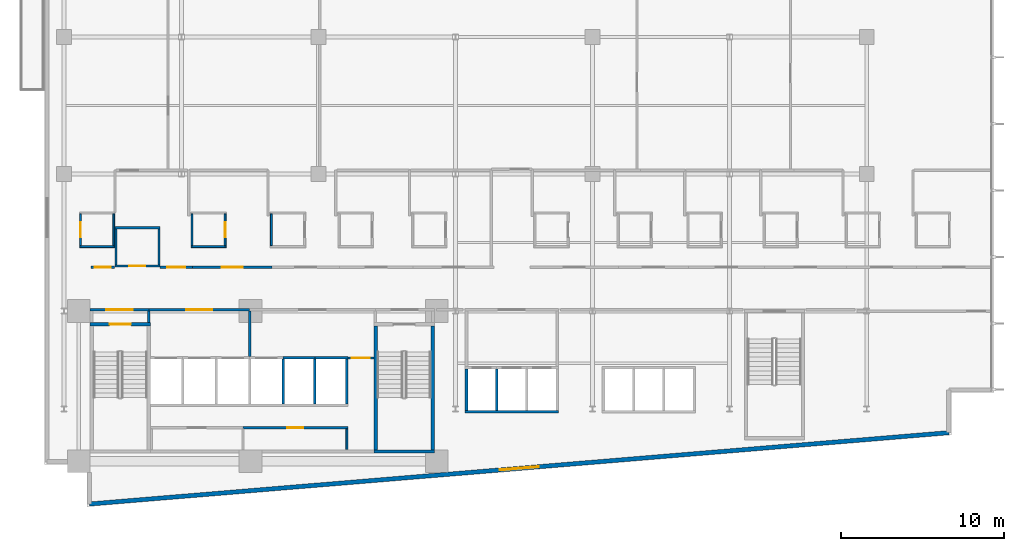
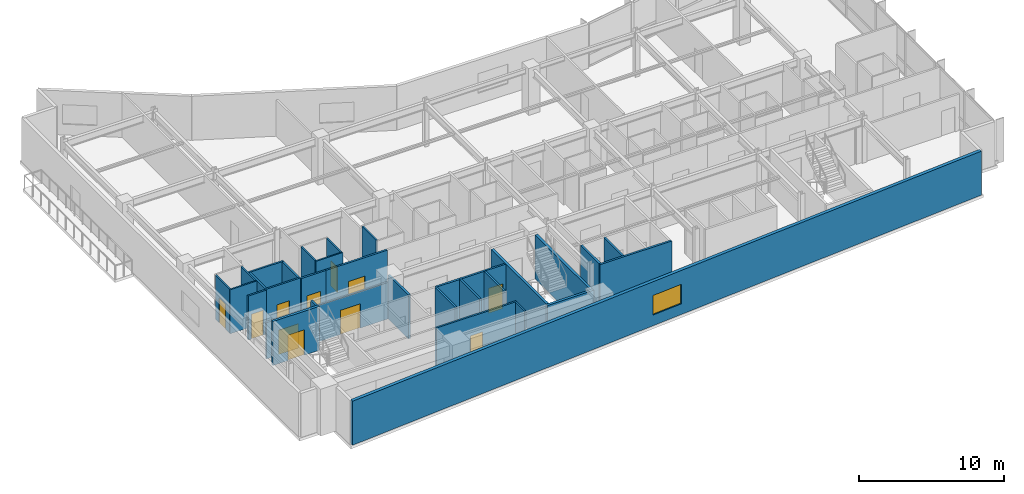
# One storey, part 12 of 21: 34 walls, 11 doors, 1 window, 12 openings.
"""IFC4 building model written with IfcOpenShell, lengths in metres."""

from ifc_helpers import new_model, si_unit, direction, frame, frame_2d, origin, place, context, subcontext, project, spatial, rectangle, extrude, material, layer, layer_set, type_object, element, fill, save


model = new_model("IFC4")

# Units and contexts
model_context = context("Model", 3, precision=1e-05, world=origin(), true_north=direction((0.0, 1.0)))
body_context = subcontext(model_context, "Body", "Model", "MODEL_VIEW")
ifc_project = project(units=[si_unit("LENGTHUNIT", "METRE"), si_unit("AREAUNIT", "SQUARE_METRE"), si_unit("VOLUMEUNIT", "CUBIC_METRE"), si_unit("PLANEANGLEUNIT", "RADIAN"), si_unit("MASSUNIT", "GRAM", prefix="KILO")], contexts=[model_context])

# Site, building, storey
site_placement = place(None, origin())
site = spatial("IfcSite", under=ifc_project, at=site_placement, CompositionType="ELEMENT")
building_placement = place(site_placement, origin())
building = spatial("IfcBuilding", under=site, at=building_placement, Name="Varnakote Quay Hospital", CompositionType="ELEMENT")
storey_placement = place(building_placement, frame((0.0, 0.0, 34.35009765625)))
storey = spatial("IfcBuildingStorey", under=building, at=storey_placement, Name="L08", CompositionType="ELEMENT", Elevation=34.35009765625)

# Wall, opening, door
ifc_material_1 = material(Name="Fire-rated acoustic gypsum stud wall", Category="gypsum")
ifc_layer_1 = layer(ifc_material_1, 0.159912109375)
ifc_layer_set_1 = layer_set([ifc_layer_1], Name="Fire-rated acoustic gypsum stud wall")
wall_type_1 = type_object("IfcWallType", Name="WL-COMP-160", PredefinedType="PARTITIONING", material=ifc_layer_set_1)
wall_1_placement = place(storey_placement, frame((2.800048828125, 12.080078125, 0.0), z_axis=(0.0, 0.0, 1.0), x_axis=(1.0, 0.0, 0.0)))
wall_1 = element("IfcWall", 1, at=wall_1_placement, inside=storey, type_object=wall_type_1, Name="L08 West Stair Vestibule Smoke Wall", PredefinedType="PARTITIONING", context=body_context, shape_type="SweptSolid", body=[
    extrude(rectangle(XDim=3.599853515625, YDim=0.159912109375, at=frame_2d((1.7998046875, 0.0))), origin(), (0.0, 0.0, 1.0), 3.072998046875),
])
opening_1_placement = place(wall_1_placement, frame((1.0, 0.0, 0.0)))
opening_1 = element("IfcOpeningElement", 2, at=opening_1_placement, cuts=wall_1, Name="Opening D-ST1L-L08", PredefinedType="OPENING", context=body_context, shape_type="SweptSolid", body=[
    extrude(rectangle(XDim=1.60009765625, YDim=2.050048828125, at=frame_2d((0.800048828125, 1.02490234375))), frame((0.0, 0.08984375, 0.0), z_axis=(0.0, -1.0, 0.0), x_axis=(1.0, 0.0, 0.0)), (0.0, 0.0, 1.0), 0.179931640625),
])
ifc_material_2 = material(Name="Fire-rated double smoke lobby door")
door_type_1 = type_object("IfcDoorType", Name="DR-LOBBY-FD60S-1600x2150", OperationType="NOTDEFINED", PredefinedType="DOOR", material=ifc_material_2)
door_1_placement = place(opening_1_placement, origin())
door_1 = element("IfcDoor", 3, at=door_1_placement, inside=storey, type_object=door_type_1, Name="L08 West Stair Vestibule Smoke Door", OperationType="DOUBLE_DOOR_SINGLE_SWING", OverallHeight=2.050048828125, OverallWidth=1.60009765625, PredefinedType="DOOR", context=body_context, shape_type="SweptSolid", body=[
    extrude(rectangle(XDim=1.60009765625, YDim=2.050048828125, at=frame_2d((0.800048828125, 1.02490234375))), frame((0.0, 0.02490234375, 0.0), z_axis=(0.0, -1.0, 0.0), x_axis=(1.0, 0.0, 0.0)), (0.0, 0.0, 1.0), 0.050048828125),
])
fill(opening_1, door_1)

# Wall
wall_2_placement = place(storey_placement, frame((6.39990234375, 11.300048828125, 0.0), z_axis=(0.0, 0.0, 1.0), x_axis=(0.0, 1.0, 0.0)))
element("IfcWall", 4, at=wall_2_placement, inside=storey, type_object=wall_type_1, Name="L08 Firefighting Lobby West Wall", PredefinedType="PARTITIONING", context=body_context, shape_type="SweptSolid", body=[
    extrude(rectangle(XDim=0.699951171875, YDim=0.159912109375, at=frame_2d((0.35009765625, 0.0))), origin(), (0.0, 0.0, 1.0), 3.7099609375),
])

# Wall, opening, door
wall_3_placement = place(storey_placement, frame((6.39990234375, 12.080078125, 0.0), z_axis=(0.0, 0.0, 1.0), x_axis=(1.0, 0.0, 0.0)))
wall_3 = element("IfcWall", 5, at=wall_3_placement, inside=storey, type_object=wall_type_1, Name="L08 Firefighting Lift Lobby Compartment Wall", PredefinedType="PARTITIONING", context=body_context, shape_type="SweptSolid", body=[
    extrude(rectangle(XDim=6.18017578125, YDim=0.159912109375, at=frame_2d((3.090087890625, 0.0))), origin(), (0.0, 0.0, 1.0), 3.072998046875),
])
opening_2_placement = place(wall_3_placement, frame((2.2900390625, 0.0, 0.0)))
opening_2 = element("IfcOpeningElement", 6, at=opening_2_placement, cuts=wall_3, Name="Opening D-FFL-L08", PredefinedType="OPENING", context=body_context, shape_type="SweptSolid", body=[
    extrude(rectangle(XDim=1.60009765625, YDim=2.050048828125, at=frame_2d((0.800048828125, 1.02490234375))), frame((0.0, 0.08984375, 0.0), z_axis=(0.0, -1.0, 0.0), x_axis=(1.0, 0.0, 0.0)), (0.0, 0.0, 1.0), 0.179931640625),
])
door_2_placement = place(opening_2_placement, origin())
door_2 = element("IfcDoor", 7, at=door_2_placement, inside=storey, type_object=door_type_1, Name="L08 Firefighting Smoke Vestibule Door", OperationType="DOUBLE_DOOR_SINGLE_SWING", OverallHeight=2.050048828125, OverallWidth=1.60009765625, PredefinedType="DOOR", context=body_context, shape_type="SweptSolid", body=[
    extrude(rectangle(XDim=1.60009765625, YDim=2.050048828125, at=frame_2d((0.800048828125, 1.02490234375))), frame((0.0, 0.02490234375, 0.0), z_axis=(0.0, -1.0, 0.0), x_axis=(1.0, 0.0, 0.0)), (0.0, 0.0, 1.0), 0.050048828125),
])
fill(opening_2, door_2)

# Walls
wall_4_placement = place(storey_placement, frame((12.580078125, 9.2099609375, 0.0), z_axis=(0.0, 0.0, 1.0), x_axis=(0.0, 1.0, 0.0)))
element("IfcWall", 8, at=wall_4_placement, inside=storey, type_object=wall_type_1, Name="L08 Firefighting to Service Lobby Wall", PredefinedType="PARTITIONING", context=body_context, shape_type="SweptSolid", body=[
    extrude(rectangle(XDim=2.7900390625, YDim=0.159912109375, at=frame_2d((1.39501953125, 0.0))), origin(), (0.0, 0.0, 1.0), 3.7099609375),
])
ifc_material_3 = material(Name="Moisture-resistant bathroom partition", Category="gypsum")
ifc_layer_2 = layer(ifc_material_3, 0.114990234375)
ifc_layer_set_2 = layer_set([ifc_layer_2], Name="Moisture-resistant bathroom partition")
wall_type_2 = type_object("IfcWallType", Name="WL-ENS-115", PredefinedType="PARTITIONING", material=ifc_layer_set_2)
wall_5_placement = place(storey_placement, frame((2.155029296875, 15.952392578125, 0.0), z_axis=(0.0, 0.0, 1.0), x_axis=(1.0, 0.0, 0.0)))
element("IfcWall", 9, at=wall_5_placement, inside=storey, type_object=wall_type_2, Name="L08 Inpatient En-Suite Bathroom 01 S Wall", PredefinedType="PARTITIONING", context=body_context, shape_type="SweptSolid", body=[
    extrude(rectangle(XDim=2.14990234375, YDim=0.114990234375, at=frame_2d((1.074951171875, 0.0))), origin(), (0.0, 0.0, 1.0), 3.7099609375),
])

# Wall, opening, door
wall_6_placement = place(storey_placement, frame((2.21240234375, 16.010009765625, 0.0), z_axis=(0.0, 0.0, 1.0), x_axis=(0.0, 1.0, 0.0)))
wall_6 = element("IfcWall", 10, at=wall_6_placement, inside=storey, type_object=wall_type_2, Name="L08 Inpatient En-Suite Bathroom 01 W Wall", PredefinedType="PARTITIONING", context=body_context, shape_type="SweptSolid", body=[
    extrude(rectangle(XDim=1.949951171875, YDim=0.114990234375, at=frame_2d((0.97509765625, 0.0))), origin(), (0.0, 0.0, 1.0), 3.7099609375),
])
opening_3_placement = place(wall_6_placement, frame((0.514892578125, 0.0, 0.0)))
opening_3 = element("IfcOpeningElement", 11, at=opening_3_placement, cuts=wall_6, Name="Opening D-L08-ENS01", PredefinedType="OPENING", context=body_context, shape_type="SweptSolid", body=[
    extrude(rectangle(XDim=0.919921875, YDim=2.10009765625, at=frame_2d((0.4599609375, 1.050048828125))), frame((0.0, 0.0673828125, 0.0), z_axis=(0.0, -1.0, 0.0), x_axis=(1.0, 0.0, 0.0)), (0.0, 0.0, 1.0), 0.135009765625),
])
ifc_material_4 = material(Name="Moisture-sealed en-suite bathroom door")
door_type_2 = type_object("IfcDoorType", Name="DR-ENS-920x2100", OperationType="NOTDEFINED", PredefinedType="DOOR", material=ifc_material_4)
door_3_placement = place(opening_3_placement, origin())
door_3 = element("IfcDoor", 12, at=door_3_placement, inside=storey, type_object=door_type_2, Name="L08 Inpatient En-Suite Bathroom 01 Door", OperationType="SINGLE_SWING_LEFT", OverallHeight=2.10009765625, OverallWidth=0.919921875, PredefinedType="DOOR", context=body_context, shape_type="SweptSolid", body=[
    extrude(rectangle(XDim=0.919921875, YDim=2.10009765625, at=frame_2d((0.4599609375, 1.050048828125))), frame((0.0, 0.02490234375, 0.0), z_axis=(0.0, -1.0, 0.0), x_axis=(1.0, 0.0, 0.0)), (0.0, 0.0, 1.0), 0.050048828125),
])
fill(opening_3, door_3)

# Walls
wall_7_placement = place(storey_placement, frame((4.24755859375, 16.010009765625, 0.0), z_axis=(0.0, 0.0, 1.0), x_axis=(0.0, 1.0, 0.0)))
element("IfcWall", 13, at=wall_7_placement, inside=storey, type_object=wall_type_2, Name="L08 Inpatient En-Suite Bathroom 01 E Wall", PredefinedType="PARTITIONING", context=body_context, shape_type="SweptSolid", body=[
    extrude(rectangle(XDim=1.949951171875, YDim=0.114990234375, at=frame_2d((0.97509765625, 0.0))), origin(), (0.0, 0.0, 1.0), 3.7099609375),
])
wall_8_placement = place(storey_placement, frame((8.985107421875, 15.952392578125, 0.0), z_axis=(0.0, 0.0, 1.0), x_axis=(1.0, 0.0, 0.0)))
element("IfcWall", 14, at=wall_8_placement, inside=storey, type_object=wall_type_2, Name="L08 Inpatient En-Suite Bathroom 02 S Wall", PredefinedType="PARTITIONING", context=body_context, shape_type="SweptSolid", body=[
    extrude(rectangle(XDim=2.14990234375, YDim=0.114990234375, at=frame_2d((1.074951171875, 0.0))), origin(), (0.0, 0.0, 1.0), 3.7099609375),
])
wall_9_placement = place(storey_placement, frame((9.04248046875, 16.010009765625, 0.0), z_axis=(0.0, 0.0, 1.0), x_axis=(0.0, 1.0, 0.0)))
element("IfcWall", 15, at=wall_9_placement, inside=storey, type_object=wall_type_2, Name="L08 Inpatient En-Suite Bathroom 02 W Wall", PredefinedType="PARTITIONING", context=body_context, shape_type="SweptSolid", body=[
    extrude(rectangle(XDim=1.949951171875, YDim=0.114990234375, at=frame_2d((0.97509765625, 0.0))), origin(), (0.0, 0.0, 1.0), 3.7099609375),
])

# Wall, opening, door
wall_10_placement = place(storey_placement, frame((11.077392578125, 16.010009765625, 0.0), z_axis=(0.0, 0.0, 1.0), x_axis=(0.0, 1.0, 0.0)))
wall_10 = element("IfcWall", 16, at=wall_10_placement, inside=storey, type_object=wall_type_2, Name="L08 Inpatient En-Suite Bathroom 02 E Wall", PredefinedType="PARTITIONING", context=body_context, shape_type="SweptSolid", body=[
    extrude(rectangle(XDim=1.949951171875, YDim=0.114990234375, at=frame_2d((0.97509765625, 0.0))), origin(), (0.0, 0.0, 1.0), 3.7099609375),
])
opening_4_placement = place(wall_10_placement, frame((0.514892578125, 0.0, 0.0)))
opening_4 = element("IfcOpeningElement", 17, at=opening_4_placement, cuts=wall_10, Name="Opening D-L08-ENS02", PredefinedType="OPENING", context=body_context, shape_type="SweptSolid", body=[
    extrude(rectangle(XDim=0.919921875, YDim=2.10009765625, at=frame_2d((0.4599609375, 1.050048828125))), frame((0.0, 0.0673828125, 0.0), z_axis=(0.0, -1.0, 0.0), x_axis=(1.0, 0.0, 0.0)), (0.0, 0.0, 1.0), 0.135009765625),
])
door_4_placement = place(opening_4_placement, origin())
door_4 = element("IfcDoor", 18, at=door_4_placement, inside=storey, type_object=door_type_2, Name="L08 Inpatient En-Suite Bathroom 02 Door", OperationType="SINGLE_SWING_RIGHT", OverallHeight=2.10009765625, OverallWidth=0.919921875, PredefinedType="DOOR", context=body_context, shape_type="SweptSolid", body=[
    extrude(rectangle(XDim=0.919921875, YDim=2.10009765625, at=frame_2d((0.4599609375, 1.050048828125))), frame((0.0, 0.02490234375, 0.0), z_axis=(0.0, -1.0, 0.0), x_axis=(1.0, 0.0, 0.0)), (0.0, 0.0, 1.0), 0.050048828125),
])
fill(opening_4, door_4)

# Wall
wall_11_placement = place(storey_placement, frame((13.91259765625, 16.010009765625, 0.0), z_axis=(0.0, 0.0, 1.0), x_axis=(0.0, 1.0, 0.0)))
element("IfcWall", 19, at=wall_11_placement, inside=storey, type_object=wall_type_2, Name="L08 Inpatient En-Suite Bathroom 03 W Wall", PredefinedType="PARTITIONING", context=body_context, shape_type="SweptSolid", body=[
    extrude(rectangle(XDim=1.949951171875, YDim=0.114990234375, at=frame_2d((0.97509765625, 0.0))), origin(), (0.0, 0.0, 1.0), 3.7099609375),
])

# Wall, opening, window
ifc_material_5 = material(Name="Precast concrete N50 (f'c 50 MPa)", Category="concrete")
ifc_layer_3 = layer(ifc_material_5, 0.260009765625)
ifc_layer_set_3 = layer_set([ifc_layer_3], Name="Precast concrete N50 (f'c 50 MPa)")
wall_type_3 = type_object("IfcWallType", Name="WL-EXT-BRICK-260", PredefinedType="STANDARD", material=ifc_layer_set_3)
wall_12_placement = place(storey_placement, frame((2.760009765625, 0.173828125, 0.0), z_axis=(0.0, 0.0, 1.0), x_axis=(0.996571478456, 0.082736257641, 0.0)))
wall_12 = element("IfcWall", 20, at=wall_12_placement, inside=storey, type_object=wall_type_3, Name="L08 Brick-Faced Precast Exterior Wall", PredefinedType="STANDARD", context=body_context, shape_type="SweptSolid", body=[
    extrude(rectangle(XDim=52.861083984375, YDim=0.260009765625, at=frame_2d((26.4306640625, 0.0))), origin(), (0.0, 0.0, 1.0), 3.7099609375),
])
opening_5_placement = place(wall_12_placement, frame((25.230712890625, 0.0, 0.89990234375)))
opening_5 = element("IfcOpeningElement", 21, at=opening_5_placement, cuts=wall_12, Name="Opening WN-0046", PredefinedType="OPENING", context=body_context, shape_type="SweptSolid", body=[
    extrude(rectangle(XDim=2.39990234375, YDim=1.64990234375, at=frame_2d((1.199951171875, 0.824951171875))), frame((0.0, 0.139892578125, 0.0), z_axis=(0.0, -1.0, 0.0), x_axis=(1.0, 0.0, 0.0)), (0.0, 0.0, 1.0), 0.280029296875),
])
ifc_material_6 = material(Name="Double-glazed low-E solar glass", Category="glass")
window_type = type_object("IfcWindowType", Name="WIN-CLIN-2400x1650", PartitioningType="SINGLE_PANEL", PredefinedType="WINDOW", material=ifc_material_6)
window_placement = place(opening_5_placement, origin())
window = element("IfcWindow", 22, at=window_placement, inside=storey, type_object=window_type, Name="L08 Solar-Control Clinical Window", OverallHeight=1.64990234375, OverallWidth=2.39990234375, PartitioningType="SINGLE_PANEL", PredefinedType="WINDOW", context=body_context, shape_type="SweptSolid", body=[
    extrude(rectangle(XDim=2.39990234375, YDim=1.64990234375, at=frame_2d((1.199951171875, 0.824951171875))), frame((0.0, 0.030029296875, 0.0), z_axis=(0.0, -1.0, 0.0), x_axis=(1.0, 0.0, 0.0)), (0.0, 0.0, 1.0), 0.06005859375),
])
fill(opening_5, window)

# Walls
ifc_material_7 = material(Name="Concrete N50 (f'c 50 MPa)", Category="concrete")
ifc_layer_4 = layer(ifc_material_7, 0.14990234375)
ifc_layer_set_4 = layer_set([ifc_layer_4], Name="Concrete N50 (f'c 50 MPa)")
wall_type_4 = type_object("IfcWallType", Name="WL-SHAFT-N50-150", PredefinedType="SHEAR", material=ifc_layer_set_4)
for number, where, z_axis, x_axis, name in (
    (23, (14.625, 6.300048828125, 0.0), (0.0, 0.0, 1.0), (0.0, 1.0, 0.0), "L08 LF-SV2 Hoistway Divider Wall"),
    (24, (16.574951171875, 6.300048828125, 0.0), (0.0, 0.0, 1.0), (0.0, 1.0, 0.0), "L08 LF-PH1 Hoistway Divider Wall"),
):
    element("IfcWall", number, at=place(storey_placement, frame(where, z_axis=z_axis, x_axis=x_axis)), inside=storey, type_object=wall_type_4, Name=name, PredefinedType="SHEAR", context=body_context, shape_type="SweptSolid", body=[
        extrude(rectangle(XDim=2.75, YDim=0.14990234375, at=frame_2d((1.375, 0.0))), origin(), (0.0, 0.0, 1.0), 3.7099609375),
    ])
wall_13_placement = place(storey_placement, frame((27.72509765625, 5.89990234375, 0.0), z_axis=(0.0, 0.0, 1.0), x_axis=(0.0, 1.0, 0.0)))
element("IfcWall", 25, at=wall_13_placement, inside=storey, type_object=wall_type_4, Name="L08 LF-PL1 Hoistway Divider Wall", PredefinedType="SHEAR", context=body_context, shape_type="SweptSolid", body=[
    extrude(rectangle(XDim=2.550048828125, YDim=0.14990234375, at=frame_2d((1.27490234375, 0.0))), origin(), (0.0, 0.0, 1.0), 3.7099609375),
])
ifc_material_8 = material(Name="Concrete N50 (f'c 50 MPa)", Category="concrete")
ifc_layer_5 = layer(ifc_material_8, 0.159912109375)
ifc_layer_set_5 = layer_set([ifc_layer_5], Name="Concrete N50 (f'c 50 MPa)")
wall_type_5 = type_object("IfcWallType", Name="WL-SHAFT-N50-160", PredefinedType="SHEAR", material=ifc_layer_set_5)
wall_14_placement = place(storey_placement, frame((18.530029296875, 6.300048828125, 0.0), z_axis=(0.0, 0.0, 1.0), x_axis=(0.0, 1.0, 0.0)))
element("IfcWall", 26, at=wall_14_placement, inside=storey, type_object=wall_type_5, Name="L08 REAR Lift Bank East Shear Wall", PredefinedType="SHEAR", context=body_context, shape_type="SweptSolid", body=[
    extrude(rectangle(XDim=2.75, YDim=0.159912109375, at=frame_2d((1.375, 0.0))), origin(), (0.0, 0.0, 1.0), 3.7099609375),
])
wall_15_placement = place(storey_placement, frame((14.625, 9.1298828125, 0.0), z_axis=(0.0, 0.0, 1.0), x_axis=(1.0, 0.0, 0.0)))
element("IfcWall", 27, at=wall_15_placement, inside=storey, type_object=wall_type_5, Name="L08 LF-PH1 Hoistway Front Wall", PredefinedType="SHEAR", context=body_context, shape_type="SweptSolid", body=[
    extrude(rectangle(XDim=1.949951171875, YDim=0.159912109375, at=frame_2d((0.97509765625, 0.0))), origin(), (0.0, 0.0, 1.0), 3.7099609375),
])
wall_16_placement = place(storey_placement, frame((16.574951171875, 9.1298828125, 0.0), z_axis=(0.0, 0.0, 1.0), x_axis=(1.0, 0.0, 0.0)))
element("IfcWall", 28, at=wall_16_placement, inside=storey, type_object=wall_type_5, Name="L08 LF-PH2 Hoistway Front Wall", PredefinedType="SHEAR", context=body_context, shape_type="SweptSolid", body=[
    extrude(rectangle(XDim=2.03515625, YDim=0.159912109375, at=frame_2d((1.017578125, 0.0))), origin(), (0.0, 0.0, 1.0), 3.7099609375),
])
wall_17_placement = place(storey_placement, frame((25.7900390625, 5.820068359375, 0.0), z_axis=(0.0, 0.0, 1.0), x_axis=(1.0, 0.0, 0.0)))
element("IfcWall", 29, at=wall_17_placement, inside=storey, type_object=wall_type_5, Name="L08 LOW Lift Bank Back Shear Wall", PredefinedType="SHEAR", context=body_context, shape_type="SweptSolid", body=[
    extrude(rectangle(XDim=5.719970703125, YDim=0.159912109375, at=frame_2d((2.85986328125, 0.0))), origin(), (0.0, 0.0, 1.0), 3.7099609375),
])
wall_18_placement = place(storey_placement, frame((25.8701171875, 5.89990234375, 0.0), z_axis=(0.0, 0.0, 1.0), x_axis=(0.0, 1.0, 0.0)))
element("IfcWall", 30, at=wall_18_placement, inside=storey, type_object=wall_type_5, Name="L08 LOW Lift Bank West Shear Wall", PredefinedType="SHEAR", context=body_context, shape_type="SweptSolid", body=[
    extrude(rectangle(XDim=2.550048828125, YDim=0.159912109375, at=frame_2d((1.27490234375, 0.0))), origin(), (0.0, 0.0, 1.0), 3.7099609375),
])

# Wall, opening, door
ifc_material_9 = material(Name="Concrete N50 (f'c 50 MPa)", Category="concrete")
ifc_layer_6 = layer(ifc_material_9, 0.199951171875)
ifc_layer_set_6 = layer_set([ifc_layer_6], Name="Concrete N50 (f'c 50 MPa)")
wall_type_6 = type_object("IfcWallType", Name="WL-SHAFT-N50-200", PredefinedType="SHEAR", material=ifc_layer_set_6)
wall_19_placement = place(storey_placement, frame((2.800048828125, 11.199951171875, 0.0), z_axis=(0.0, 0.0, 1.0), x_axis=(1.0, 0.0, 0.0)))
wall_19 = element("IfcWall", 31, at=wall_19_placement, inside=storey, type_object=wall_type_6, Name="L08 Stair ST1 Exit Wall", PredefinedType="SHEAR", context=body_context, shape_type="SweptSolid", body=[
    extrude(rectangle(XDim=3.699951171875, YDim=0.199951171875, at=frame_2d((1.85009765625, 0.0))), origin(), (0.0, 0.0, 1.0), 3.7099609375),
])
opening_6_placement = place(wall_19_placement, frame((1.199951171875, 0.0, 0.0)))
opening_6 = element("IfcOpeningElement", 32, at=opening_6_placement, cuts=wall_19, Name="Opening D-ST1-L08", PredefinedType="OPENING", context=body_context, shape_type="SweptSolid", body=[
    extrude(rectangle(XDim=1.300048828125, YDim=2.14990234375, at=frame_2d((0.64990234375, 1.074951171875))), frame((0.0, 0.10986328125, 0.0), z_axis=(0.0, -1.0, 0.0), x_axis=(1.0, 0.0, 0.0)), (0.0, 0.0, 1.0), 0.219970703125),
])
ifc_material_10 = material(Name="Fire-rated ceramic-glazed timber exit door", Category="wood")
door_type_3 = type_object("IfcDoorType", Name="DR-STAIR-FD60S-1300x2150", OperationType="NOTDEFINED", PredefinedType="DOOR", material=ifc_material_10)
door_5_placement = place(opening_6_placement, origin())
door_5 = element("IfcDoor", 33, at=door_5_placement, inside=storey, type_object=door_type_3, Name="L08 Stair ST1 Fire Exit Door", OperationType="SINGLE_SWING_RIGHT", OverallHeight=2.14990234375, OverallWidth=1.300048828125, PredefinedType="DOOR", context=body_context, shape_type="SweptSolid", body=[
    extrude(rectangle(XDim=1.300048828125, YDim=2.14990234375, at=frame_2d((0.64990234375, 1.074951171875))), frame((0.0, 0.02490234375, 0.0), z_axis=(0.0, -1.0, 0.0), x_axis=(1.0, 0.0, 0.0)), (0.0, 0.0, 1.0), 0.050048828125),
])
fill(opening_6, door_5)

# Walls
wall_20_placement = place(storey_placement, frame((20.199951171875, 3.39990234375, 0.0), z_axis=(0.0, 0.0, 1.0), x_axis=(1.0, 0.0, 0.0)))
element("IfcWall", 34, at=wall_20_placement, inside=storey, type_object=wall_type_6, Name="L08 Stair ST2 South Shaft Wall", PredefinedType="SHEAR", context=body_context, shape_type="SweptSolid", body=[
    extrude(rectangle(XDim=3.699951171875, YDim=0.199951171875, at=frame_2d((1.85009765625, 0.0))), origin(), (0.0, 0.0, 1.0), 3.7099609375),
])
for number, where, z_axis, x_axis, name in (
    (35, (20.300048828125, 3.5, 0.0), (0.0, 0.0, 1.0), (0.0, 1.0, 0.0), "L08 Stair ST2 West Shaft Wall"),
    (36, (23.800048828125, 3.5, 0.0), (0.0, 0.0, 1.0), (0.0, 1.0, 0.0), "L08 Stair ST2 East Shaft Wall"),
):
    element("IfcWall", number, at=place(storey_placement, frame(where, z_axis=z_axis, x_axis=x_axis)), inside=storey, type_object=wall_type_6, Name=name, PredefinedType="SHEAR", context=body_context, shape_type="SweptSolid", body=[
        extrude(rectangle(XDim=7.60009765625, YDim=0.199951171875, at=frame_2d((3.800048828125, 0.0))), origin(), (0.0, 0.0, 1.0), 3.7099609375),
    ])
ifc_material_11 = material(Name="Smoke-proof clinical partition", Category="gypsum")
ifc_layer_7 = layer(ifc_material_11, 0.1201171875)
ifc_layer_set_7 = layer_set([ifc_layer_7], Name="Smoke-proof clinical partition")
wall_type_7 = type_object("IfcWallType", Name="WL-SMOKE-120", PredefinedType="PARTITIONING", material=ifc_layer_set_7)
wall_21_placement = place(storey_placement, frame((18.5400390625, 3.52001953125, 0.0), z_axis=(0.0, 0.0, 1.0), x_axis=(0.0, 1.0, 0.0)))
element("IfcWall", 37, at=wall_21_placement, inside=storey, type_object=wall_type_7, Name="L08 Core South Service East Wall", PredefinedType="PARTITIONING", context=body_context, shape_type="SweptSolid", body=[
    extrude(rectangle(XDim=1.260009765625, YDim=0.1201171875, at=frame_2d((0.6298828125, 0.0))), origin(), (0.0, 0.0, 1.0), 3.7099609375),
])

# Wall, opening, door
ifc_material_12 = material(Name="Fire-rated clinical gypsum partition", Category="gypsum")
ifc_layer_8 = layer(ifc_material_12, 0.139892578125)
ifc_layer_set_8 = layer_set([ifc_layer_8], Name="Fire-rated clinical gypsum partition")
wall_type_8 = type_object("IfcWallType", Name="WL-WARD-140", PredefinedType="PARTITIONING", material=ifc_layer_set_8)
wall_22_placement = place(storey_placement, frame((12.169921875, 4.85009765625, 0.0), z_axis=(0.0, 0.0, 1.0), x_axis=(1.0, 0.0, 0.0)))
wall_22 = element("IfcWall", 38, at=wall_22_placement, inside=storey, type_object=wall_type_8, Name="L08 Core Staff Sanitary WC North Wall", PredefinedType="PARTITIONING", context=body_context, shape_type="SweptSolid", body=[
    extrude(rectangle(XDim=6.43017578125, YDim=0.139892578125, at=frame_2d((3.215087890625, 0.0))), origin(), (0.0, 0.0, 1.0), 3.7099609375),
])
opening_7_placement = place(wall_22_placement, frame((2.72509765625, 0.0, 0.0)))
opening_7 = element("IfcOpeningElement", 39, at=opening_7_placement, cuts=wall_22, Name="Opening D-L08-CR02", PredefinedType="OPENING", context=body_context, shape_type="SweptSolid", body=[
    extrude(rectangle(XDim=0.97998046875, YDim=2.10009765625, at=frame_2d((0.489990234375, 1.050048828125))), frame((0.0, 0.079833984375, 0.0), z_axis=(0.0, -1.0, 0.0), x_axis=(1.0, 0.0, 0.0)), (0.0, 0.0, 1.0), 0.159912109375),
])
ifc_material_13 = material(Name="Accessible sanitary compartment door")
door_type_4 = type_object("IfcDoorType", Name="DR-WC-980x2100", OperationType="NOTDEFINED", PredefinedType="DOOR", material=ifc_material_13)
door_6_placement = place(opening_7_placement, origin())
door_6 = element("IfcDoor", 40, at=door_6_placement, inside=storey, type_object=door_type_4, Name="L08 Core Staff Sanitary WC Door", OperationType="SINGLE_SWING_RIGHT", OverallHeight=2.10009765625, OverallWidth=0.97998046875, PredefinedType="DOOR", context=body_context, shape_type="SweptSolid", body=[
    extrude(rectangle(XDim=0.97998046875, YDim=2.10009765625, at=frame_2d((0.489990234375, 1.050048828125))), frame((0.0, 0.02490234375, 0.0), z_axis=(0.0, -1.0, 0.0), x_axis=(1.0, 0.0, 0.0)), (0.0, 0.0, 1.0), 0.050048828125),
])
fill(opening_7, door_6)

wall_23_placement = place(storey_placement, frame((18.610107421875, 9.1298828125, 0.0), z_axis=(0.0, 0.0, 1.0), x_axis=(1.0, 0.0, 0.0)))
wall_23 = element("IfcWall", 41, at=wall_23_placement, inside=storey, type_object=wall_type_8, Name="L08 Core Service Corridor North Door Wall", PredefinedType="PARTITIONING", context=body_context, shape_type="SweptSolid", body=[
    extrude(rectangle(XDim=1.58984375, YDim=0.139892578125, at=frame_2d((0.794921875, 0.0))), origin(), (0.0, 0.0, 1.0), 3.7099609375),
])
opening_8_placement = place(wall_23_placement, frame((0.239990234375, 0.0, 0.0)))
opening_8 = element("IfcOpeningElement", 42, at=opening_8_placement, cuts=wall_23, Name="Opening D-CSRV-L08", PredefinedType="OPENING", context=body_context, shape_type="SweptSolid", body=[
    extrude(rectangle(XDim=1.10009765625, YDim=2.10009765625, at=frame_2d((0.550048828125, 1.050048828125))), frame((0.0, 0.079833984375, 0.0), z_axis=(0.0, -1.0, 0.0), x_axis=(1.0, 0.0, 0.0)), (0.0, 0.0, 1.0), 0.159912109375),
])
ifc_material_14 = material(Name="Acoustic timber clinical consult door", Category="wood")
door_type_5 = type_object("IfcDoorType", Name="DR-CLIN-FD30S-1100x2100", OperationType="NOTDEFINED", PredefinedType="DOOR", material=ifc_material_14)
door_7_placement = place(opening_8_placement, origin())
door_7 = element("IfcDoor", 43, at=door_7_placement, inside=storey, type_object=door_type_5, Name="L08 Core Service Corridor Door", OperationType="SINGLE_SWING_LEFT", OverallHeight=2.10009765625, OverallWidth=1.10009765625, PredefinedType="DOOR", context=body_context, shape_type="SweptSolid", body=[
    extrude(rectangle(XDim=1.10009765625, YDim=2.10009765625, at=frame_2d((0.550048828125, 1.050048828125))), frame((0.0, 0.02490234375, 0.0), z_axis=(0.0, -1.0, 0.0), x_axis=(1.0, 0.0, 0.0)), (0.0, 0.0, 1.0), 0.050048828125),
])
fill(opening_8, door_7)

wall_24_placement = place(storey_placement, frame((4.31005859375, 14.77001953125, 0.0), z_axis=(0.0, 0.0, 1.0), x_axis=(1.0, 0.0, 0.0)))
wall_24 = element("IfcWall", 44, at=wall_24_placement, inside=storey, type_object=wall_type_8, Name="L08 Floor Unisex Accessible WC S Wall", PredefinedType="PARTITIONING", context=body_context, shape_type="SweptSolid", body=[
    extrude(rectangle(XDim=2.780029296875, YDim=0.139892578125, at=frame_2d((1.39013671875, 0.0))), origin(), (0.0, 0.0, 1.0), 3.7099609375),
])
opening_9_placement = place(wall_24_placement, frame((0.89990234375, 0.0, 0.0)))
opening_9 = element("IfcOpeningElement", 45, at=opening_9_placement, cuts=wall_24, Name="Opening D-L08-EW01", PredefinedType="OPENING", context=body_context, shape_type="SweptSolid", body=[
    extrude(rectangle(XDim=0.97998046875, YDim=2.10009765625, at=frame_2d((0.489990234375, 1.050048828125))), frame((0.0, 0.079833984375, 0.0), z_axis=(0.0, -1.0, 0.0), x_axis=(1.0, 0.0, 0.0)), (0.0, 0.0, 1.0), 0.159912109375),
])
door_8_placement = place(opening_9_placement, origin())
door_8 = element("IfcDoor", 46, at=door_8_placement, inside=storey, type_object=door_type_4, Name="L08 Floor Unisex Accessible WC Door", OperationType="SINGLE_SWING_RIGHT", OverallHeight=2.10009765625, OverallWidth=0.97998046875, PredefinedType="DOOR", context=body_context, shape_type="SweptSolid", body=[
    extrude(rectangle(XDim=0.97998046875, YDim=2.10009765625, at=frame_2d((0.489990234375, 1.050048828125))), frame((0.0, 0.02490234375, 0.0), z_axis=(0.0, -1.0, 0.0), x_axis=(1.0, 0.0, 0.0)), (0.0, 0.0, 1.0), 0.050048828125),
])
fill(opening_9, door_8)

# Walls
wall_25_placement = place(storey_placement, frame((4.31005859375, 17.110107421875, 0.0), z_axis=(0.0, 0.0, 1.0), x_axis=(1.0, 0.0, 0.0)))
element("IfcWall", 47, at=wall_25_placement, inside=storey, type_object=wall_type_8, Name="L08 Floor Unisex Accessible WC N Wall", PredefinedType="PARTITIONING", context=body_context, shape_type="SweptSolid", body=[
    extrude(rectangle(XDim=2.780029296875, YDim=0.139892578125, at=frame_2d((1.39013671875, 0.0))), origin(), (0.0, 0.0, 1.0), 3.7099609375),
])
for number, where, z_axis, x_axis, name in (
    (48, (4.3798828125, 14.840087890625, 0.0), (0.0, 0.0, 1.0), (0.0, 1.0, 0.0), "L08 Floor Unisex Accessible WC W Wall"),
    (49, (7.02001953125, 14.840087890625, 0.0), (0.0, 0.0, 1.0), (0.0, 1.0, 0.0), "L08 Floor Unisex Accessible WC E Wall"),
):
    element("IfcWall", number, at=place(storey_placement, frame(where, z_axis=z_axis, x_axis=x_axis)), inside=storey, type_object=wall_type_8, Name=name, PredefinedType="PARTITIONING", context=body_context, shape_type="SweptSolid", body=[
        extrude(rectangle(XDim=2.199951171875, YDim=0.139892578125, at=frame_2d((1.10009765625, 0.0))), origin(), (0.0, 0.0, 1.0), 3.7099609375),
    ])

# Wall, opening, door
ifc_material_15 = material(Name="Fire-rated clinical gypsum partition", Category="gypsum")
ifc_layer_9 = layer(ifc_material_15, 0.14990234375)
ifc_layer_set_9 = layer_set([ifc_layer_9], Name="Fire-rated clinical gypsum partition")
wall_type_9 = type_object("IfcWallType", Name="WL-WARD-150", PredefinedType="PARTITIONING", material=ifc_layer_set_9)
wall_26_placement = place(storey_placement, frame((4.30810546875, 14.679931640625, 0.0), z_axis=(0.0, 0.0, 1.0), x_axis=(-1.0, 0.0, 0.0)))
wall_26 = element("IfcWall", 50, at=wall_26_placement, inside=storey, type_object=wall_type_9, Name="L08 Clinical Interior Partition", PredefinedType="PARTITIONING", context=body_context, shape_type="SweptSolid", body=[
    extrude(rectangle(XDim=1.4580078125, YDim=0.14990234375, at=frame_2d((0.72900390625, 0.0))), origin(), (0.0, 0.0, 1.0), 3.7099609375),
])
opening_10_placement = place(wall_26_placement, frame((0.239013671875, 0.0, 0.0)))
opening_10 = element("IfcOpeningElement", 51, at=opening_10_placement, cuts=wall_26, Name="Opening D-L08-BR01", PredefinedType="OPENING", context=body_context, shape_type="SweptSolid", body=[
    extrude(rectangle(XDim=0.97998046875, YDim=2.10009765625, at=frame_2d((0.489990234375, 1.050048828125))), frame((0.0, 0.0849609375, 0.0), z_axis=(0.0, -1.0, 0.0), x_axis=(1.0, 0.0, 0.0)), (0.0, 0.0, 1.0), 0.169921875),
])
door_9_placement = place(opening_10_placement, origin())
door_9 = element("IfcDoor", 52, at=door_9_placement, inside=storey, type_object=door_type_4, Name="L08 Resident Care Bedroom 01 Door", OperationType="SINGLE_SWING_LEFT", OverallHeight=2.10009765625, OverallWidth=0.97998046875, PredefinedType="DOOR", context=body_context, shape_type="SweptSolid", body=[
    extrude(rectangle(XDim=0.97998046875, YDim=2.10009765625, at=frame_2d((0.489990234375, 1.050048828125))), frame((0.0, 0.02490234375, 0.0), z_axis=(0.0, -1.0, 0.0), x_axis=(1.0, 0.0, 0.0)), (0.0, 0.0, 1.0), 0.050048828125),
])
fill(opening_10, door_9)

wall_27_placement = place(storey_placement, frame((9.06591796875, 14.679931640625, 0.0), z_axis=(0.0, 0.0, 1.0), x_axis=(-1.0, 0.0, 0.0)))
wall_27 = element("IfcWall", 53, at=wall_27_placement, inside=storey, type_object=wall_type_9, Name="L08 Clinical Interior Partition", PredefinedType="PARTITIONING", context=body_context, shape_type="SweptSolid", body=[
    extrude(rectangle(XDim=1.973876953125, YDim=0.14990234375, at=frame_2d((0.98681640625, 0.0))), origin(), (0.0, 0.0, 1.0), 3.7099609375),
])
opening_11_placement = place(wall_27_placement, frame((0.43701171875, 0.0, 0.0)))
opening_11 = element("IfcOpeningElement", 54, at=opening_11_placement, cuts=wall_27, Name="Opening D-L08-MD01", PredefinedType="OPENING", context=body_context, shape_type="SweptSolid", body=[
    extrude(rectangle(XDim=1.10009765625, YDim=2.10009765625, at=frame_2d((0.550048828125, 1.050048828125))), frame((0.0, 0.0849609375, 0.0), z_axis=(0.0, -1.0, 0.0), x_axis=(1.0, 0.0, 0.0)), (0.0, 0.0, 1.0), 0.169921875),
])
door_10_placement = place(opening_11_placement, origin())
door_10 = element("IfcDoor", 55, at=door_10_placement, inside=storey, type_object=door_type_5, Name="L08 Ward Nurse Station Office Door", OperationType="SINGLE_SWING_RIGHT", OverallHeight=2.10009765625, OverallWidth=1.10009765625, PredefinedType="DOOR", context=body_context, shape_type="SweptSolid", body=[
    extrude(rectangle(XDim=1.10009765625, YDim=2.10009765625, at=frame_2d((0.550048828125, 1.050048828125))), frame((0.0, 0.02490234375, 0.0), z_axis=(0.0, -1.0, 0.0), x_axis=(1.0, 0.0, 0.0)), (0.0, 0.0, 1.0), 0.050048828125),
])
fill(opening_11, door_10)

wall_28_placement = place(storey_placement, frame((13.93603515625, 14.679931640625, 0.0), z_axis=(0.0, 0.0, 1.0), x_axis=(-1.0, 0.0, 0.0)))
wall_28 = element("IfcWall", 56, at=wall_28_placement, inside=storey, type_object=wall_type_9, Name="L08 Clinical Interior Partition", PredefinedType="PARTITIONING", context=body_context, shape_type="SweptSolid", body=[
    extrude(rectangle(XDim=4.867919921875, YDim=0.14990234375, at=frame_2d((2.43408203125, 0.0))), origin(), (0.0, 0.0, 1.0), 3.7099609375),
])
opening_12_placement = place(wall_28_placement, frame((1.783935546875, 0.0, 0.0)))
opening_12 = element("IfcOpeningElement", 57, at=opening_12_placement, cuts=wall_28, Name="Opening D-L08-BR02", PredefinedType="OPENING", context=body_context, shape_type="SweptSolid", body=[
    extrude(rectangle(XDim=1.300048828125, YDim=2.14990234375, at=frame_2d((0.64990234375, 1.074951171875))), frame((0.0, 0.0849609375, 0.0), z_axis=(0.0, -1.0, 0.0), x_axis=(1.0, 0.0, 0.0)), (0.0, 0.0, 1.0), 0.169921875),
])
ifc_material_16 = material(Name="Solid-core timber clinical bed door", Category="wood")
door_type_6 = type_object("IfcDoorType", Name="DR-WARD-FD30S-1300x2150", OperationType="NOTDEFINED", PredefinedType="DOOR", material=ifc_material_16)
door_11_placement = place(opening_12_placement, origin())
door_11 = element("IfcDoor", 58, at=door_11_placement, inside=storey, type_object=door_type_6, Name="L08 Resident Care Bedroom 02 Door", OperationType="SINGLE_SWING_LEFT", OverallHeight=2.14990234375, OverallWidth=1.300048828125, PredefinedType="DOOR", context=body_context, shape_type="SweptSolid", body=[
    extrude(rectangle(XDim=1.300048828125, YDim=2.14990234375, at=frame_2d((0.64990234375, 1.074951171875))), frame((0.0, 0.02490234375, 0.0), z_axis=(0.0, -1.0, 0.0), x_axis=(1.0, 0.0, 0.0)), (0.0, 0.0, 1.0), 0.050048828125),
])
fill(opening_12, door_11)

save(model, "model.ifc")
